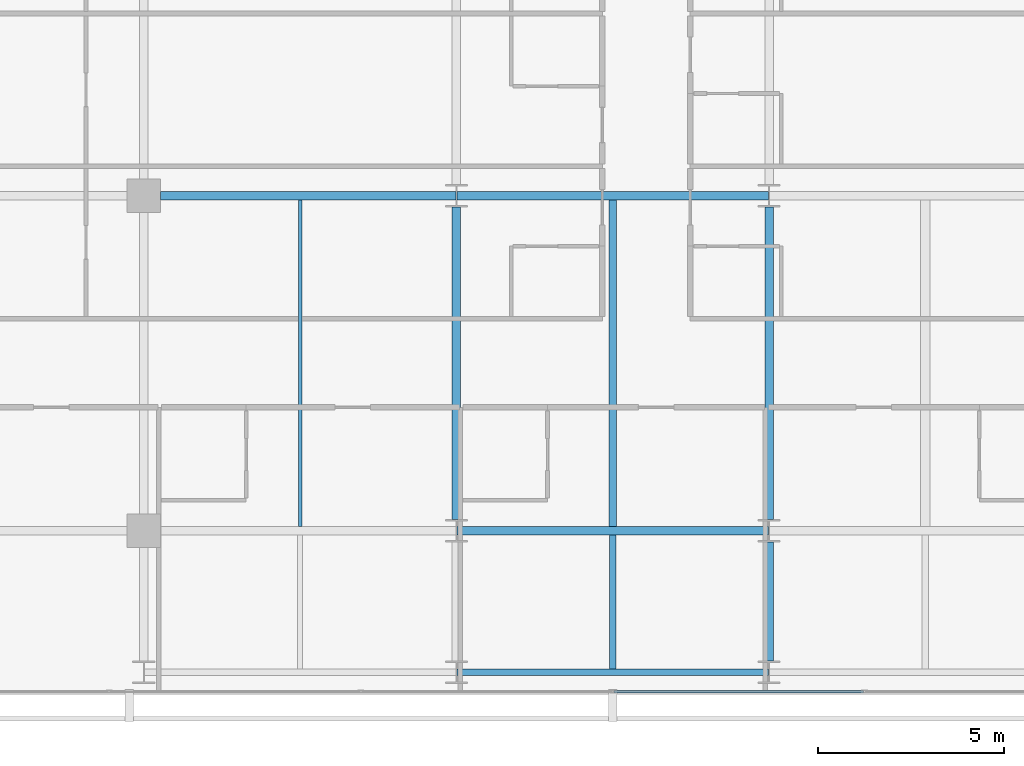
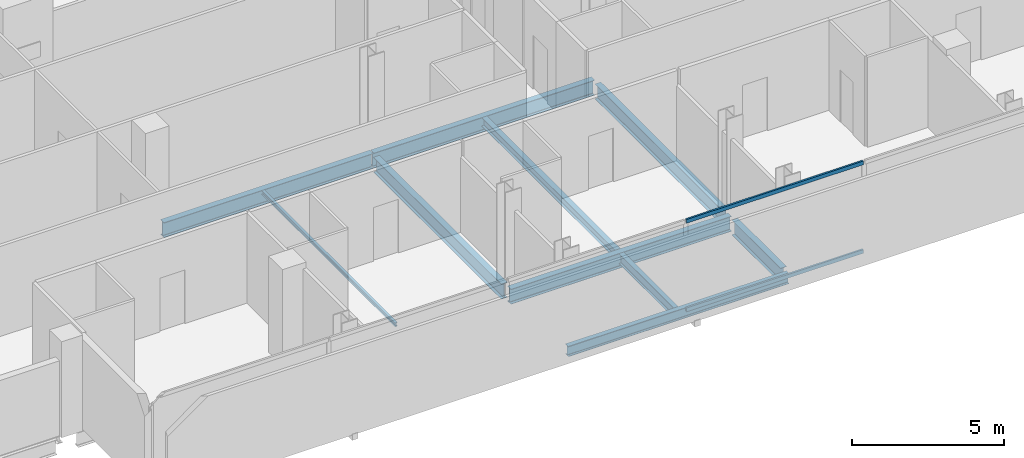
# One storey, part 7 of 34: 10 beams, 2 members, 1 element without a shape of its own.
"""IFC4 building model written with IfcOpenShell, lengths in metres."""

from ifc_helpers import new_model, si_unit, direction, frame, origin, origin_2d, place, context, subcontext, project, spatial, hollow_rectangle, i_section, extrude, material, layer, layer_set, material_profile, profile_set, type_object, element, aggregate, save


model = new_model("IFC4")

# Units and contexts
model_context = context("Model", 3, precision=1e-05, world=origin(), true_north=direction((0.0, 1.0)))
body_context = subcontext(model_context, "Body", "Model", "MODEL_VIEW")
ifc_project = project(units=[si_unit("LENGTHUNIT", "METRE"), si_unit("AREAUNIT", "SQUARE_METRE"), si_unit("VOLUMEUNIT", "CUBIC_METRE"), si_unit("PLANEANGLEUNIT", "RADIAN"), si_unit("MASSUNIT", "GRAM", prefix="KILO")], contexts=[model_context])

# Site, building, storey
site_placement = place(None, origin())
site = spatial("IfcSite", under=ifc_project, at=site_placement, CompositionType="ELEMENT")
building_placement = place(site_placement, origin())
building = spatial("IfcBuilding", under=site, at=building_placement, Name="Maruvema Waterfront Hotel and Observation Tower", CompositionType="ELEMENT")
storey_placement = place(building_placement, frame((0.0, 0.0, 177.449951171875)))
storey = spatial("IfcBuildingStorey", under=building, at=storey_placement, Name="L43", CompositionType="ELEMENT", Elevation=177.449951171875)

# Curtain wall, members
ifc_material_1 = material(Name="Anodised bronze aluminium and solar-control low-E IGU", Category="aluminium")
ifc_layer = layer(ifc_material_1, 0.159912109375, Name="Zone 2 Amber Inner Thermal Curtain Wall System CW-03")
ifc_layer_set = layer_set([ifc_layer], Name="Anodised bronze aluminium and solar-control low-E IGU")
curtain_wall_type = type_object("IfcCurtainWallType", Name="Zone 2 Amber Inner Thermal Curtain Wall System CW-03", PredefinedType="USERDEFINED", material=ifc_layer_set)
curtain_wall_placement = place(storey_placement, origin())
curtain_wall = element("IfcCurtainWall", 1, at=curtain_wall_placement, inside=storey, type_object=curtain_wall_type, Name="L43 Curtain Wall CW-L43-S", ObjectType="UNITISED CURTAIN WALL", PredefinedType="USERDEFINED")
ifc_material_2 = material(Name="Anodised architectural bronze aluminium", Category="aluminium")
ifc_material_profile_1 = material_profile(ifc_material_2, hollow_rectangle(XDim=0.070068359375, YDim=0.14990234375, WallThickness=0.00390625, at=origin_2d()), Name="ALU-T70x150")
ifc_profile_set_1 = profile_set([ifc_material_profile_1], Name="Anodised architectural bronze aluminium")
member_type = type_object("IfcMemberType", Name="Curtain Wall Horizontal Transom ALU-T70x150", PredefinedType="USERDEFINED", material=ifc_profile_set_1)
member_1_placement = place(storey_placement, frame((37.830078125, 4.679931640625, 0.030029296875), z_axis=(1.0, 0.0, 0.0), x_axis=(0.0, 1.0, 0.0)))
member_1 = element("IfcMember", 2, at=member_1_placement, type_object=member_type, Name="CW-03 transom 4.1", ObjectType="TRANSOM", PredefinedType="USERDEFINED", context=body_context, shape_type="SweptSolid", body=[
    extrude(hollow_rectangle(XDim=0.070068359375, YDim=0.14990234375, WallThickness=0.00390625, at=origin_2d()), origin(), (0.0, 0.0, 1.0), 6.70654296875),
])
member_2_placement = place(storey_placement, frame((37.830078125, 4.679931640625, 3.580078125), z_axis=(1.0, 0.0, 0.0), x_axis=(0.0, 1.0, 0.0)))
member_2 = element("IfcMember", 3, at=member_2_placement, type_object=member_type, Name="CW-03 transom 4.2", ObjectType="TRANSOM", PredefinedType="USERDEFINED", context=body_context, shape_type="SweptSolid", body=[
    extrude(hollow_rectangle(XDim=0.070068359375, YDim=0.14990234375, WallThickness=0.00390625, at=origin_2d()), origin(), (0.0, 0.0, 1.0), 6.70654296875),
])
aggregate(curtain_wall, [member_1, member_2])

# Beams
ifc_material_3 = material(Name="Steel ASTM A572 Grade 50", Category="steel")
ifc_material_profile_2 = material_profile(ifc_material_3, i_section(OverallWidth=0.180908203125, OverallDepth=0.4169921875, WebThickness=0.010986328125, FlangeThickness=0.018310546875, FilletRadius=0.014892578125, at=origin_2d()), Name="W410x85.0")
ifc_profile_set_2 = profile_set([ifc_material_profile_2], Name="Steel ASTM A572 Grade 50")
beam_type_1 = type_object("IfcBeamType", Name="Perimeter Spandrel Beam W410x85.0", PredefinedType="SPANDREL", material=ifc_profile_set_2)
beam_1_placement = place(storey_placement, frame((33.612548828125, 5.199951171875, -0.448486328125), z_axis=(1.0, 0.0, 0.0), x_axis=(0.0, 1.0, 0.0)))
element("IfcBeam", 4, at=beam_1_placement, inside=storey, type_object=beam_type_1, Name="L43 Floor Girder EW-02", PredefinedType="SPANDREL", context=body_context, shape_type="SweptSolid", body=[
    extrude(i_section(OverallWidth=0.180908203125, OverallDepth=0.4169921875, WebThickness=0.010986328125, FlangeThickness=0.018310546875, FilletRadius=0.014892578125, at=origin_2d()), origin(), (0.0, 0.0, 1.0), 8.375),
])
ifc_material_4 = material(Name="Steel ASTM A572 Grade 50", Category="steel")
ifc_material_profile_3 = material_profile(ifc_material_4, i_section(OverallWidth=0.22802734375, OverallDepth=0.60302734375, WebThickness=0.010498046875, FlangeThickness=0.014892578125, FilletRadius=0.01806640625, at=origin_2d()), Name="W610x101.0")
ifc_profile_set_3 = profile_set([ifc_material_profile_3], Name="Steel ASTM A572 Grade 50")
beam_type_2 = type_object("IfcBeamType", Name="Primary Floor Girder W610x101.0", PredefinedType="BEAM", material=ifc_profile_set_3)
beam_2_placement = place(storey_placement, frame((33.612548828125, 9.0, -0.54150390625), z_axis=(1.0, 0.0, 0.0), x_axis=(0.0, 1.0, 0.0)))
element("IfcBeam", 5, at=beam_2_placement, inside=storey, type_object=beam_type_2, Name="L43 Floor Girder EW-07", PredefinedType="BEAM", context=body_context, shape_type="SweptSolid", body=[
    extrude(i_section(OverallWidth=0.22802734375, OverallDepth=0.60302734375, WebThickness=0.010498046875, FlangeThickness=0.014892578125, FilletRadius=0.01806640625, at=origin_2d()), origin(), (0.0, 0.0, 1.0), 8.375),
])
beam_3_placement = place(storey_placement, frame((25.64990234375, 18.0, -0.54150390625), z_axis=(1.0, 0.0, 0.0), x_axis=(0.0, 1.0, 0.0)))
element("IfcBeam", 6, at=beam_3_placement, inside=storey, type_object=beam_type_2, Name="L43 Floor Girder EW-13", PredefinedType="BEAM", context=body_context, shape_type="SweptSolid", body=[
    extrude(i_section(OverallWidth=0.22802734375, OverallDepth=0.60302734375, WebThickness=0.010498046875, FlangeThickness=0.014892578125, FilletRadius=0.01806640625, at=origin_2d()), origin(), (0.0, 0.0, 1.0), 7.9375),
])
beam_4_placement = place(storey_placement, frame((33.612548828125, 18.0, -0.54150390625), z_axis=(1.0, 0.0, 0.0), x_axis=(0.0, 1.0, 0.0)))
element("IfcBeam", 7, at=beam_4_placement, inside=storey, type_object=beam_type_2, Name="L43 Floor Girder EW-14", PredefinedType="BEAM", context=body_context, shape_type="SweptSolid", body=[
    extrude(i_section(OverallWidth=0.22802734375, OverallDepth=0.60302734375, WebThickness=0.010498046875, FlangeThickness=0.014892578125, FilletRadius=0.01806640625, at=origin_2d()), origin(), (0.0, 0.0, 1.0), 8.375),
])
beam_5_placement = place(storey_placement, frame((33.60009765625, 9.300048828125, -0.54150390625), z_axis=(0.0, 1.0, 0.0), x_axis=(-1.0, 0.0, 0.0)))
element("IfcBeam", 8, at=beam_5_placement, inside=storey, type_object=beam_type_2, Name="L43 Floor Girder NS-15", PredefinedType="BEAM", context=body_context, shape_type="SweptSolid", body=[
    extrude(i_section(OverallWidth=0.22802734375, OverallDepth=0.60302734375, WebThickness=0.010498046875, FlangeThickness=0.014892578125, FilletRadius=0.01806640625, at=origin_2d()), origin(), (0.0, 0.0, 1.0), 8.39990234375),
])
beam_6_placement = place(storey_placement, frame((42.0, 5.5, -0.54150390625), z_axis=(0.0, 1.0, 0.0), x_axis=(-1.0, 0.0, 0.0)))
element("IfcBeam", 9, at=beam_6_placement, inside=storey, type_object=beam_type_2, Name="L43 Floor Girder NS-17", PredefinedType="BEAM", context=body_context, shape_type="SweptSolid", body=[
    extrude(i_section(OverallWidth=0.22802734375, OverallDepth=0.60302734375, WebThickness=0.010498046875, FlangeThickness=0.014892578125, FilletRadius=0.01806640625, at=origin_2d()), origin(), (0.0, 0.0, 1.0), 3.199951171875),
])
beam_7_placement = place(storey_placement, frame((42.0, 9.300048828125, -0.54150390625), z_axis=(0.0, 1.0, 0.0), x_axis=(-1.0, 0.0, 0.0)))
element("IfcBeam", 10, at=beam_7_placement, inside=storey, type_object=beam_type_2, Name="L43 Floor Girder NS-18", PredefinedType="BEAM", context=body_context, shape_type="SweptSolid", body=[
    extrude(i_section(OverallWidth=0.22802734375, OverallDepth=0.60302734375, WebThickness=0.010498046875, FlangeThickness=0.014892578125, FilletRadius=0.01806640625, at=origin_2d()), origin(), (0.0, 0.0, 1.0), 8.39990234375),
])
ifc_material_5 = material(Name="Steel ASTM A572 Grade 50", Category="steel")
ifc_material_profile_4 = material_profile(ifc_material_5, i_section(OverallWidth=0.10009765625, OverallDepth=0.153076171875, WebThickness=0.005859375, FlangeThickness=0.007080078125, FilletRadius=0.008056640625, at=origin_2d()), Name="W150x18.0")
ifc_profile_set_4 = profile_set([ifc_material_profile_4], Name="Steel ASTM A572 Grade 50")
beam_type_3 = type_object("IfcBeamType", Name="Secondary Floor Joist W150x18.0", PredefinedType="JOIST", material=ifc_profile_set_4)
beam_8_placement = place(storey_placement, frame((29.39990234375, 9.114013671875, -0.31640625), z_axis=(0.0, 1.0, 0.0), x_axis=(-1.0, 0.0, 0.0)))
element("IfcBeam", 11, at=beam_8_placement, inside=storey, type_object=beam_type_3, Name="L43 Secondary Floor Joist JS-06", PredefinedType="JOIST", context=body_context, shape_type="SweptSolid", body=[
    extrude(i_section(OverallWidth=0.10009765625, OverallDepth=0.153076171875, WebThickness=0.005859375, FlangeThickness=0.007080078125, FilletRadius=0.008056640625, at=origin_2d()), origin(), (0.0, 0.0, 1.0), 8.77197265625),
])
ifc_material_6 = material(Name="Steel ASTM A572 Grade 50", Category="steel")
ifc_material_profile_5 = material_profile(ifc_material_6, i_section(OverallWidth=0.202880859375, OverallDepth=0.346923828125, WebThickness=0.0078125, FlangeThickness=0.013427734375, FilletRadius=0.014892578125, at=origin_2d()), Name="W360x64.0")
ifc_profile_set_5 = profile_set([ifc_material_profile_5], Name="Steel ASTM A572 Grade 50")
beam_type_4 = type_object("IfcBeamType", Name="Secondary Floor Joist W360x64.0", PredefinedType="JOIST", material=ifc_profile_set_5)
beam_9_placement = place(storey_placement, frame((37.800048828125, 9.114013671875, -0.413330078125), z_axis=(0.0, 1.0, 0.0), x_axis=(-1.0, 0.0, 0.0)))
element("IfcBeam", 12, at=beam_9_placement, inside=storey, type_object=beam_type_4, Name="L43 Secondary Floor Joist JS-08", PredefinedType="JOIST", context=body_context, shape_type="SweptSolid", body=[
    extrude(i_section(OverallWidth=0.202880859375, OverallDepth=0.346923828125, WebThickness=0.0078125, FlangeThickness=0.013427734375, FilletRadius=0.014892578125, at=origin_2d()), origin(), (0.0, 0.0, 1.0), 8.77197265625),
])
ifc_material_7 = material(Name="Steel ASTM A572 Grade 50", Category="steel")
ifc_material_profile_6 = material_profile(ifc_material_7, i_section(OverallWidth=0.177001953125, OverallDepth=0.403076171875, WebThickness=0.007568359375, FlangeThickness=0.010986328125, FilletRadius=0.014892578125, at=origin_2d()), Name="W410x53.0")
ifc_profile_set_6 = profile_set([ifc_material_profile_6], Name="Steel ASTM A572 Grade 50")
beam_type_5 = type_object("IfcBeamType", Name="Secondary Floor Joist W410x53.0", PredefinedType="JOIST", material=ifc_profile_set_6)
beam_10_placement = place(storey_placement, frame((37.800048828125, 5.29052734375, -0.44140625), z_axis=(0.0, 1.0, 0.0), x_axis=(-1.0, 0.0, 0.0)))
element("IfcBeam", 13, at=beam_10_placement, inside=storey, type_object=beam_type_5, Name="L43 Secondary Floor Joist JS-07", PredefinedType="JOIST", context=body_context, shape_type="SweptSolid", body=[
    extrude(i_section(OverallWidth=0.177001953125, OverallDepth=0.403076171875, WebThickness=0.007568359375, FlangeThickness=0.010986328125, FilletRadius=0.014892578125, at=origin_2d()), origin(), (0.0, 0.0, 1.0), 3.595458984375),
])

save(model, "model.ifc")
